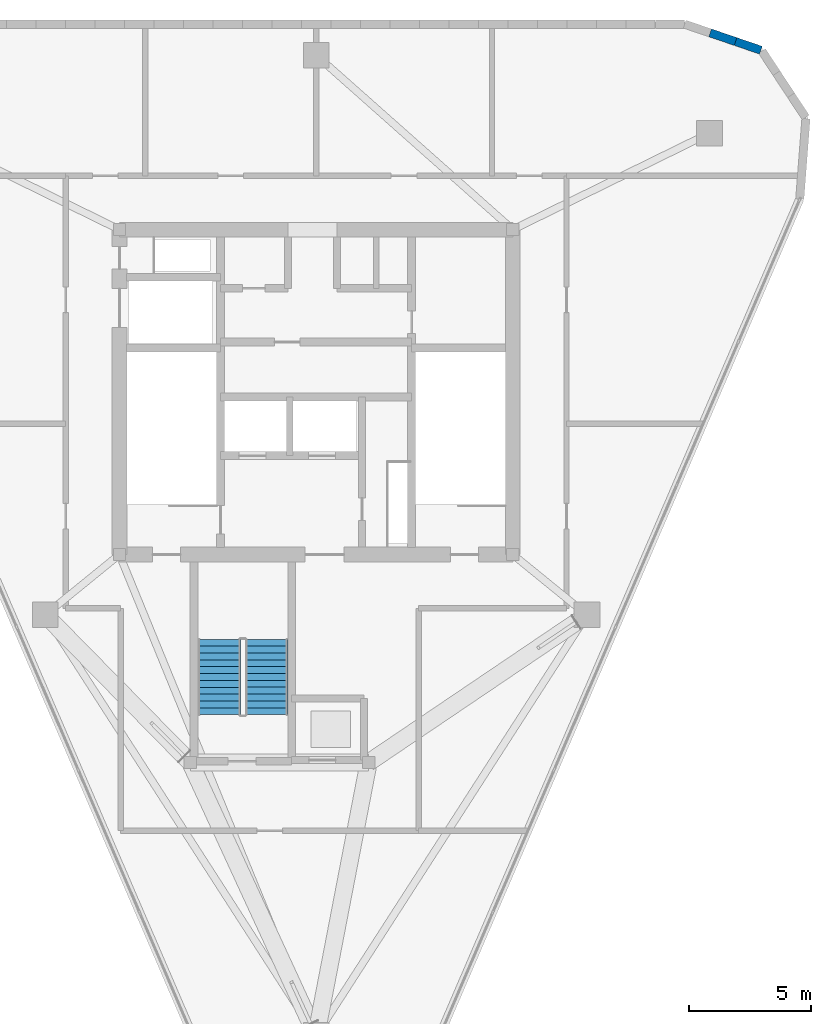
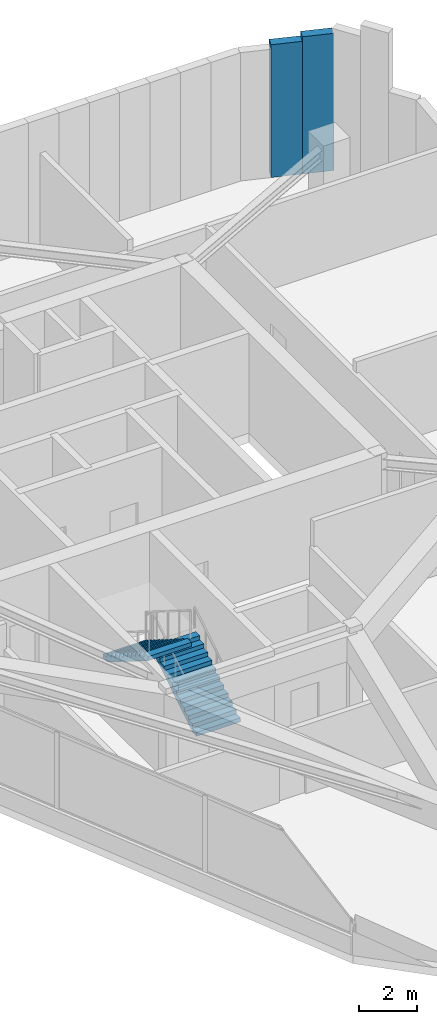
# One storey, part 7 of 9: 2 stair flights, 2 walls, 1 element without a shape of its own.
"""IFC4 building model written with IfcOpenShell, lengths in metres."""

from ifc_helpers import new_model, si_unit, direction, frame, frame_2d, origin, place, context, subcontext, project, spatial, polyline, rectangle, outline, extrude, material, layer, layer_set, type_object, element, aggregate, save


model = new_model("IFC4")

# Units and contexts
model_context = context("Model", 3, precision=1e-05, world=origin(), true_north=direction((0.0, 1.0)))
body_context = subcontext(model_context, "Body", "Model", "MODEL_VIEW")
ifc_project = project(units=[si_unit("LENGTHUNIT", "METRE"), si_unit("AREAUNIT", "SQUARE_METRE"), si_unit("VOLUMEUNIT", "CUBIC_METRE"), si_unit("PLANEANGLEUNIT", "RADIAN"), si_unit("MASSUNIT", "GRAM", prefix="KILO")], contexts=[model_context])

# Site, building, storey
site_placement = place(None, origin())
site = spatial("IfcSite", under=ifc_project, at=site_placement, CompositionType="ELEMENT")
building_placement = place(site_placement, origin())
building = spatial("IfcBuilding", under=site, at=building_placement, Name="Talyreon Biosciences Tower", CompositionType="ELEMENT")
storey_placement = place(building_placement, frame((0.0, 0.0, 317.199951171875)))
storey = spatial("IfcBuildingStorey", under=building, at=storey_placement, Name="L84", CompositionType="ELEMENT", Elevation=317.199951171875)

# Walls
ifc_material_1 = material(Name="Precast concrete C45/55", Category="concrete")
ifc_layer = layer(ifc_material_1, 0.340087890625)
ifc_layer_set = layer_set([ifc_layer], Name="Precast concrete C45/55")
wall_type = type_object("IfcWallType", Name="PrecastConcreteSpandrelWall_340", PredefinedType="STANDARD", material=ifc_layer_set)
wall_1_placement = place(storey_placement, frame((82.1259765625, 82.703369140625, 0.0), z_axis=(0.0, 0.0, 1.0), x_axis=(0.946187270161, -0.323619606614, 0.0)))
element("IfcWall", 1, at=wall_1_placement, inside=storey, type_object=wall_type, Name="L84 Slanted Crown Spandrel 04.02", PredefinedType="STANDARD", context=body_context, shape_type="SweptSolid", body=[
    extrude(rectangle(XDim=1.098388671875, YDim=0.340087890625, at=frame_2d((0.54931640625, 0.0))), origin(), (0.0, 0.0, 1.0), 5.57421875),
])
wall_2_placement = place(storey_placement, frame((83.165283203125, 82.347900390625, 0.0), z_axis=(0.0, 0.0, 1.0), x_axis=(0.946187270161, -0.323619606614, 0.0)))
element("IfcWall", 2, at=wall_2_placement, inside=storey, type_object=wall_type, Name="L84 Slanted Crown Spandrel 04.03", PredefinedType="STANDARD", context=body_context, shape_type="SweptSolid", body=[
    extrude(rectangle(XDim=1.098388671875, YDim=0.340087890625, at=frame_2d((0.54931640625, 0.0))), origin(), (0.0, 0.0, 1.0), 5.76123046875),
])

# Stair, stair flights
ifc_material_2 = material(Name="Concrete C40/50", Category="concrete")
stair_type = type_object("IfcStairType", Name="DoglegEscapeStair_4200", PredefinedType="HALF_TURN_STAIR", material=ifc_material_2)
stair_placement = place(storey_placement, origin())
stair = element("IfcStair", 3, at=stair_placement, inside=storey, type_object=stair_type, Name="L84 Crown Internal Escape Stair 4", PredefinedType="HALF_TURN_STAIR")
stair_flight_type = type_object("IfcStairFlightType", Name="PrecastStairFlight_4200", PredefinedType="STRAIGHT", material=ifc_material_2)
stair_flight_1_placement = place(storey_placement, frame((63.969970703125, 54.800048828125, 0.0), z_axis=(0.0, 0.0, 1.0), x_axis=(0.0, 1.0, 0.0)))
stair_flight_1 = element("IfcStairFlight", 4, at=stair_flight_1_placement, type_object=stair_flight_type, Name="ST-4 flight 1", NumberOfRisers=12, NumberOfTreads=11, PredefinedType="STRAIGHT", RiserHeight=0.175, TreadLength=0.28, context=body_context, shape_type="SweptSolid", body=[
    extrude(outline(polyline([(0.0, 0.0), (0.0, 0.175048828125), (0.280029296875, 0.175048828125), (0.280029296875, 0.35009765625), (0.56005859375, 0.35009765625), (0.56005859375, 0.52490234375), (0.840087890625, 0.52490234375), (0.840087890625, 0.699951171875), (1.1201171875, 0.699951171875), (1.1201171875, 0.875), (1.39990234375, 0.875), (1.39990234375, 1.050048828125), (1.679931640625, 1.050048828125), (1.679931640625, 1.22509765625), (1.9599609375, 1.22509765625), (1.9599609375, 1.39990234375), (2.239990234375, 1.39990234375), (2.239990234375, 1.574951171875), (2.52001953125, 1.574951171875), (2.52001953125, 1.75), (2.800048828125, 1.75), (2.800048828125, 1.925048828125), (3.080078125, 1.925048828125), (3.080078125, 2.10009765625), (3.080078125, 1.748291015625), (0.28271484375, 0.0), (0.0, 0.0)])), frame((0.0, 0.8701171875, 0.0), z_axis=(0.0, -1.0, 0.0), x_axis=(1.0, 0.0, 0.0)), (0.0, 0.0, 1.0), 1.739990234375),
])
stair_flight_2_placement = place(storey_placement, frame((62.030029296875, 57.8798828125, 2.10009765625), z_axis=(0.0, 0.0, 1.0), x_axis=(0.0, -1.0, 0.0)))
stair_flight_2 = element("IfcStairFlight", 5, at=stair_flight_2_placement, type_object=stair_flight_type, Name="ST-4 flight 2", NumberOfRisers=12, NumberOfTreads=11, PredefinedType="STRAIGHT", RiserHeight=0.175, TreadLength=0.28, context=body_context, shape_type="SweptSolid", body=[
    extrude(outline(polyline([(0.0, 0.0), (0.0, 0.175048828125), (0.280029296875, 0.175048828125), (0.280029296875, 0.35009765625), (0.56005859375, 0.35009765625), (0.56005859375, 0.52490234375), (0.840087890625, 0.52490234375), (0.840087890625, 0.699951171875), (1.1201171875, 0.699951171875), (1.1201171875, 0.875), (1.39990234375, 0.875), (1.39990234375, 1.050048828125), (1.679931640625, 1.050048828125), (1.679931640625, 1.22509765625), (1.9599609375, 1.22509765625), (1.9599609375, 1.39990234375), (2.239990234375, 1.39990234375), (2.239990234375, 1.574951171875), (2.52001953125, 1.574951171875), (2.52001953125, 1.75), (2.800048828125, 1.75), (2.800048828125, 1.925048828125), (3.080078125, 1.925048828125), (3.080078125, 2.10009765625), (3.080078125, 1.748291015625), (0.28271484375, 0.0), (0.0, 0.0)])), frame((0.0, 0.8701171875, 0.0), z_axis=(0.0, -1.0, 0.0), x_axis=(1.0, 0.0, 0.0)), (0.0, 0.0, 1.0), 1.739990234375),
])
aggregate(stair, [stair_flight_1, stair_flight_2])

save(model, "model.ifc")
